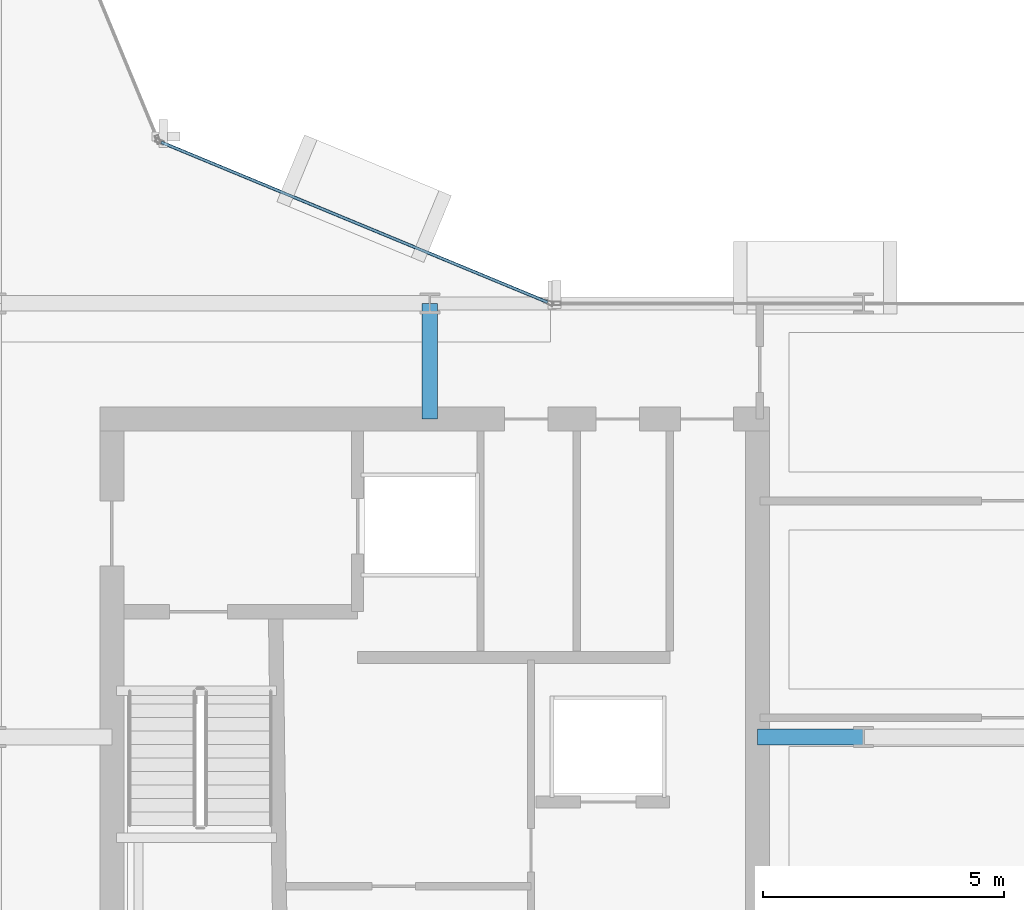
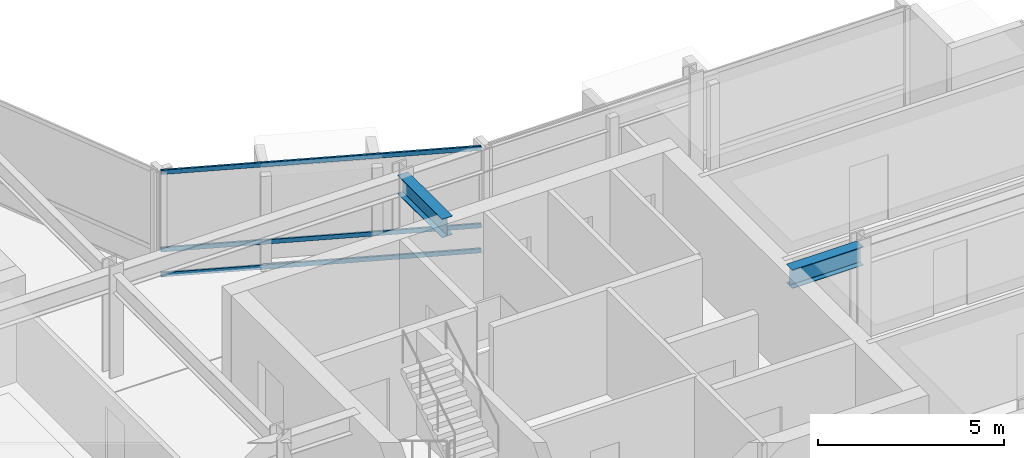
# One storey, part 12 of 29: 3 members, 2 beams, 1 element without a shape of its own.
"""IFC4 building model written with IfcOpenShell, lengths in metres."""

import ifcopenshell
import ifcopenshell.guid

model = None  # the IFC model being written
_history = None  # IfcOwnerHistory: only IFC2X3 demands one
_inside = {}  # id of a spatial element -> (the spatial element, [elements in it])
_under = {}  # id of a project, library or spatial element -> (it, [spatial elements below it])
_declared = {}  # id of a project -> (the project, [libraries it declares])
_typed = {}  # id of a type object -> (the type object, [elements of that type])
_made_of = {}  # id of a material, layer set ... -> (it, [elements and type objects made of it])


def new_model(schema):
    """Start an empty IFC model of exactly this schema.

    Asked for "IFC4X3", IfcOpenShell would pick the latest addendum, in which some entities
    have other attributes; the version numbers below select the first issue.
    IFC2X3 requires an IfcOwnerHistory on every rooted entity: one is made here for all.
    """
    global model, _history
    if schema == "IFC4X3":
        model = ifcopenshell.file(schema_version=(4, 3, 0, 0))
    else:
        model = ifcopenshell.file(schema=schema)
    _inside.clear()
    _under.clear()
    _declared.clear()
    _typed.clear()
    _made_of.clear()
    _history = None
    if model.schema == "IFC2X3":
        org = make("IfcOrganization", Name="unknown")
        user = make(
            "IfcPersonAndOrganization",
            ThePerson=make("IfcPerson", FamilyName="unknown"),
            TheOrganization=org,
        )
        app = make(
            "IfcApplication",
            ApplicationDeveloper=org,
            Version="unknown",
            ApplicationFullName="unknown",
            ApplicationIdentifier="unknown",
        )
        _history = make(
            "IfcOwnerHistory",
            OwningUser=user,
            OwningApplication=app,
            ChangeAction="ADDED",
            CreationDate=0,
        )
    return model


def make(cls, **values):
    """One entity of the class cls with the attributes given. An attribute that is None is left unset."""
    return model.create_entity(
        cls, **{name: value for name, value in values.items() if value is not None}
    )


def rooted(cls, **values):
    """An entity with a GlobalId (a new one), such as an element, a storey or a relation."""
    return make(cls, GlobalId=ifcopenshell.guid.new(), OwnerHistory=_history, **values)


def si_unit(unit_type, name, prefix=None):
    """IfcSIUnit, for example si_unit("LENGTHUNIT", "METRE", prefix="MILLI")."""
    return make("IfcSIUnit", UnitType=unit_type, Prefix=prefix, Name=name)


def assignment(units):
    """IfcUnitAssignment: the units of a project."""
    return None if units is None else make("IfcUnitAssignment", Units=units)


def point(xyz):
    """IfcCartesianPoint."""
    return None if xyz is None else make("IfcCartesianPoint", Coordinates=xyz)


def direction(xyz):
    """IfcDirection."""
    return None if xyz is None else make("IfcDirection", DirectionRatios=xyz)


def frame(location, z_axis=None, x_axis=None):
    """IfcAxis2Placement3D, a coordinate frame: its origin and axes. An axis left out is left unset."""
    return make(
        "IfcAxis2Placement3D",
        Location=point(location),
        Axis=direction(z_axis),
        RefDirection=direction(x_axis),
    )


def frame_2d(location, x_axis=None):
    """IfcAxis2Placement2D, a coordinate frame in the plane: its origin and x axis."""
    return make(
        "IfcAxis2Placement2D", Location=point(location), RefDirection=direction(x_axis)
    )


def origin():
    """The frame at (0, 0, 0) with its axes left unset."""
    return frame((0.0, 0.0, 0.0))


def origin_2d():
    """The frame at (0, 0) in the plane with its x axis left unset."""
    return frame_2d((0.0, 0.0))


def place(relative_to, where):
    """IfcLocalPlacement: puts the frame where relative to a parent placement (None: the world)."""
    return make(
        "IfcLocalPlacement", PlacementRelTo=relative_to, RelativePlacement=where
    )


def context(
    kind, dimensions, precision=None, world=None, true_north=None, identifier=None
):
    """IfcGeometricRepresentationContext, for example the 3D "Model" context."""
    return make(
        "IfcGeometricRepresentationContext",
        ContextIdentifier=identifier,
        ContextType=kind,
        CoordinateSpaceDimension=dimensions,
        Precision=precision,
        WorldCoordinateSystem=world,
        TrueNorth=true_north,
    )


def subcontext(parent, identifier, kind, view, scale=None):
    """IfcGeometricRepresentationSubContext, for example "Body" below "Model"."""
    return make(
        "IfcGeometricRepresentationSubContext",
        ContextIdentifier=identifier,
        ContextType=kind,
        ParentContext=parent,
        TargetScale=scale,
        TargetView=view,
    )


def project(units=None, contexts=None):
    """IfcProject with its units and contexts."""
    return rooted(
        "IfcProject",
        Name="project",
        RepresentationContexts=contexts,
        UnitsInContext=assignment(units),
    )


def spatial(cls, under=None, at=None, **own):
    """A site, building, storey or space (cls), placed at a placement, below another one or the project."""
    s = rooted(cls, ObjectPlacement=at, **own)
    if under is not None:
        _under.setdefault(under.id(), (under, []))[1].append(s)
    return s


def profile(cls, at=None, kind="AREA", **sizes):
    """A parametric profile (cls). Its sizes go by their IFC names, for example OverallWidth=200.0."""
    return make(cls, ProfileType=kind, Position=at, **sizes)


def hollow_rectangle(**sizes):
    """IfcRectangleHollowProfileDef."""
    return profile("IfcRectangleHollowProfileDef", **sizes)


def i_section(**sizes):
    """IfcIShapeProfileDef."""
    return profile("IfcIShapeProfileDef", **sizes)


def extrude(swept, where, along, depth):
    """IfcExtrudedAreaSolid: the profile swept, set in the frame where, extruded along a direction by depth."""
    return make(
        "IfcExtrudedAreaSolid",
        SweptArea=swept,
        Position=where,
        ExtrudedDirection=direction(along),
        Depth=depth,
    )


def shape(context_of_items, identifier, shape_type, items):
    """IfcShapeRepresentation: the items that make up one representation, for example the "Body"."""
    return make(
        "IfcShapeRepresentation",
        ContextOfItems=context_of_items,
        RepresentationIdentifier=identifier,
        RepresentationType=shape_type,
        Items=items,
    )


def material(Name=None, Category=None):
    """IfcMaterial."""
    return make("IfcMaterial", Name=Name, Category=Category)


def layer(
    of_material, thickness, ventilated=None, Name=None, Category=None, Priority=None
):
    """IfcMaterialLayer: one layer of a wall or slab, of a material (None: an air gap)."""
    return make(
        "IfcMaterialLayer",
        Material=of_material,
        LayerThickness=thickness,
        IsVentilated=ventilated,
        Name=Name,
        Category=Category,
        Priority=Priority,
    )


def layer_set(layers, Name=None):
    """IfcMaterialLayerSet."""
    return make("IfcMaterialLayerSet", MaterialLayers=layers, LayerSetName=Name)


def material_profile(
    of_material, cross_section, Name=None, Category=None, Priority=None
):
    """IfcMaterialProfile: a cross section and its material."""
    return make(
        "IfcMaterialProfile",
        Name=Name,
        Material=of_material,
        Profile=cross_section,
        Priority=Priority,
        Category=Category,
    )


def profile_set(profiles, Name=None, composite=None):
    """IfcMaterialProfileSet."""
    return make(
        "IfcMaterialProfileSet",
        Name=Name,
        MaterialProfiles=profiles,
        CompositeProfile=composite,
    )


def made_of(thing, what):
    """Note that an element or type object is made of a material, layer set ...; save() writes the relation."""
    if what is not None:
        _made_of.setdefault(what.id(), (what, []))[1].append(thing)
    return thing


def type_object(cls, material=None, **own):
    """A type object (cls), such as IfcWallType, which elements share."""
    return made_of(rooted(cls, **own), material)


def element(
    cls,
    number,
    at=None,
    inside=None,
    cuts=None,
    type_object=None,
    material=None,
    context=None,
    identifier="Body",
    shape_type=None,
    held_by="IfcProductDefinitionShape",
    body=None,
    shapes=None,
    **own,
):
    """One element of the class cls, such as IfcWall. Its Tag is "e" and its number.

    at: its placement. inside: the storey or other place that contains it. cuts: it is an
    opening in that element (IfcRelVoidsElement). A single representation is given by context,
    identifier, shape_type and body (its items); several are given by shapes. held_by: the class
    of the entity that holds the representations. save() writes the other relations.
    """
    e = rooted(cls, Tag="e%d" % number, ObjectPlacement=at, **own)
    if body is not None:
        shapes = [shape(context, identifier, shape_type, body)]
    if shapes is not None:
        e.Representation = make(held_by, Representations=shapes)
    if inside is not None:
        _inside.setdefault(inside.id(), (inside, []))[1].append(e)
    if cuts is not None:
        rooted(
            "IfcRelVoidsElement", RelatingBuildingElement=cuts, RelatedOpeningElement=e
        )
    if type_object is not None:
        _typed.setdefault(type_object.id(), (type_object, []))[1].append(e)
    return made_of(e, material)


def aggregate(whole, parts):
    """IfcRelAggregates: a whole, such as a stair, and the parts it consists of."""
    return rooted("IfcRelAggregates", RelatingObject=whole, RelatedObjects=parts)


def save(model, path):
    """Write the relations noted so far, then the file.

    IfcRelAggregates (storeys below a building ...), IfcRelContainedInSpatialStructure (elements
    in a storey), IfcRelDefinesByType, IfcRelAssociatesMaterial and IfcRelDeclares: one each for
    every whole, place, type object, material and project.
    """
    for whole, parts in _under.values():
        aggregate(whole, parts)
    for where, things in _inside.values():
        rooted(
            "IfcRelContainedInSpatialStructure",
            RelatedElements=things,
            RelatingStructure=where,
        )
    for kind, things in _typed.values():
        rooted("IfcRelDefinesByType", RelatedObjects=things, RelatingType=kind)
    for what, things in _made_of.values():
        rooted("IfcRelAssociatesMaterial", RelatedObjects=things, RelatingMaterial=what)
    for by, libraries in _declared.values():
        rooted("IfcRelDeclares", RelatingContext=by, RelatedDefinitions=libraries)
    model.write(path)


model = new_model("IFC4")

# Units and contexts
model_context = context("Model", 3, precision=1e-05, world=origin(), true_north=direction((0.0, 1.0)))
body_context = subcontext(model_context, "Body", "Model", "MODEL_VIEW")
ifc_project = project(units=[si_unit("LENGTHUNIT", "METRE"), si_unit("AREAUNIT", "SQUARE_METRE"), si_unit("VOLUMEUNIT", "CUBIC_METRE"), si_unit("PLANEANGLEUNIT", "RADIAN"), si_unit("MASSUNIT", "GRAM", prefix="KILO")], contexts=[model_context])

# Site, building, storey
site_placement = place(None, origin())
site = spatial("IfcSite", under=ifc_project, at=site_placement, CompositionType="ELEMENT")
building_placement = place(site_placement, origin())
building = spatial("IfcBuilding", under=site, at=building_placement, Name="Solvaryn Broadcast Tower", CompositionType="ELEMENT")
storey_placement = place(building_placement, frame((0.0, 0.0, 139.60009765625)))
storey = spatial("IfcBuildingStorey", under=building, at=storey_placement, Name="L34", CompositionType="ELEMENT", Elevation=139.60009765625)

# Beams
ifc_material_1 = material(Name="Steel ASTM A992 Grade 50", Category="steel")
ifc_material_profile_1 = material_profile(ifc_material_1, i_section(OverallWidth=0.323974609375, OverallDepth=0.611083984375, WebThickness=0.0126953125, FlangeThickness=0.01904296875, FilletRadius=0.014892578125, at=origin_2d()))
ifc_profile_set_1 = profile_set([ifc_material_profile_1], Name="Steel ASTM A992 Grade 50")
beam_type = type_object("IfcBeamType", Name="BM-B1-W24X104", PredefinedType="BEAM", material=ifc_profile_set_1)
beam_1_placement = place(storey_placement, frame((36.0, 24.60009765625, 3.114501953125), z_axis=(0.0, 1.0, 0.0), x_axis=(-1.0, 0.0, 0.0)))
element("IfcBeam", 1, at=beam_1_placement, inside=storey, type_object=beam_type, Name="L34 Core Tie Beam CTE2", PredefinedType="BEAM", context=body_context, shape_type="SweptSolid", body=[
    extrude(i_section(OverallWidth=0.323974609375, OverallDepth=0.611083984375, WebThickness=0.0126953125, FlangeThickness=0.01904296875, FilletRadius=0.014892578125, at=origin_2d()), origin(), (0.0, 0.0, 1.0), 2.39990234375),
])
beam_2_placement = place(storey_placement, frame((42.800048828125, 18.0, 3.114501953125), z_axis=(1.0, 0.0, 0.0), x_axis=(0.0, 1.0, 0.0)))
element("IfcBeam", 2, at=beam_2_placement, inside=storey, type_object=beam_type, Name="L34 Core Tie Beam CTE3", PredefinedType="BEAM", context=body_context, shape_type="SweptSolid", body=[
    extrude(i_section(OverallWidth=0.323974609375, OverallDepth=0.611083984375, WebThickness=0.0126953125, FlangeThickness=0.01904296875, FilletRadius=0.014892578125, at=origin_2d()), origin(), (0.0, 0.0, 1.0), 2.199951171875),
])

# Curtain wall, members
ifc_material_2 = material(Name="Aluminium and Terracotta Unitised Curtain Wall", Category="masonry")
ifc_layer = layer(ifc_material_2, 0.199951171875)
ifc_layer_set = layer_set([ifc_layer], Name="CW-SYS2-LOWMID")
curtain_wall_type = type_object("IfcCurtainWallType", Name="CW-SYS2-LOWMID", PredefinedType="NOTDEFINED", material=ifc_layer_set)
curtain_wall_placement = place(storey_placement, origin())
curtain_wall = element("IfcCurtainWall", 3, at=curtain_wall_placement, inside=storey, type_object=curtain_wall_type, Name="L34 Curtain Wall CN1", PredefinedType="NOTDEFINED")
ifc_material_3 = material(Name="Anodised Aluminium 6063-T6", Category="aluminium")
ifc_material_profile_2 = material_profile(ifc_material_3, hollow_rectangle(XDim=0.06494140625, YDim=0.14990234375, WallThickness=0.00390625, InnerFilletRadius=0.00390625, OuterFilletRadius=0.008056640625, at=origin_2d()))
ifc_profile_set_2 = profile_set([ifc_material_profile_2], Name="Anodised Aluminium 6063-T6")
member_type = type_object("IfcMemberType", Name="CW-TRN-150", PredefinedType="USERDEFINED", material=ifc_profile_set_2)
member_1_placement = place(storey_placement, frame((38.444580078125, 27.02294921875, 0.02978515625), z_axis=(-0.923899282177, 0.382635748975, 0.0), x_axis=(-0.382635748975, -0.923899282177, 0.0)))
member_1 = element("IfcMember", 4, at=member_1_placement, type_object=member_type, Name="CWS2 transom 1.1", ObjectType="TRANSOM", PredefinedType="USERDEFINED", context=body_context, shape_type="SweptSolid", body=[
    extrude(hollow_rectangle(XDim=0.06494140625, YDim=0.14990234375, WallThickness=0.00390625, InnerFilletRadius=0.00390625, OuterFilletRadius=0.008056640625, at=origin_2d()), origin(), (0.0, 0.0, 1.0), 8.681884765625),
])
member_2_placement = place(storey_placement, frame((38.444580078125, 27.02294921875, 0.849853515625), z_axis=(-0.923899282177, 0.382635748975, 0.0), x_axis=(-0.382635748975, -0.923899282177, 0.0)))
member_2 = element("IfcMember", 5, at=member_2_placement, type_object=member_type, Name="CWS2 transom 1.2", ObjectType="TRANSOM", PredefinedType="USERDEFINED", context=body_context, shape_type="SweptSolid", body=[
    extrude(hollow_rectangle(XDim=0.06494140625, YDim=0.14990234375, WallThickness=0.00390625, InnerFilletRadius=0.00390625, OuterFilletRadius=0.008056640625, at=origin_2d()), origin(), (0.0, 0.0, 1.0), 8.681884765625),
])
member_3_placement = place(storey_placement, frame((38.444580078125, 27.02294921875, 3.389892578125), z_axis=(-0.923899282177, 0.382635748975, 0.0), x_axis=(-0.382635748975, -0.923899282177, 0.0)))
member_3 = element("IfcMember", 6, at=member_3_placement, type_object=member_type, Name="CWS2 transom 1.3", ObjectType="TRANSOM", PredefinedType="USERDEFINED", context=body_context, shape_type="SweptSolid", body=[
    extrude(hollow_rectangle(XDim=0.06494140625, YDim=0.14990234375, WallThickness=0.00390625, InnerFilletRadius=0.00390625, OuterFilletRadius=0.008056640625, at=origin_2d()), origin(), (0.0, 0.0, 1.0), 8.681884765625),
])
aggregate(curtain_wall, [member_1, member_2, member_3])

save(model, "model.ifc")
